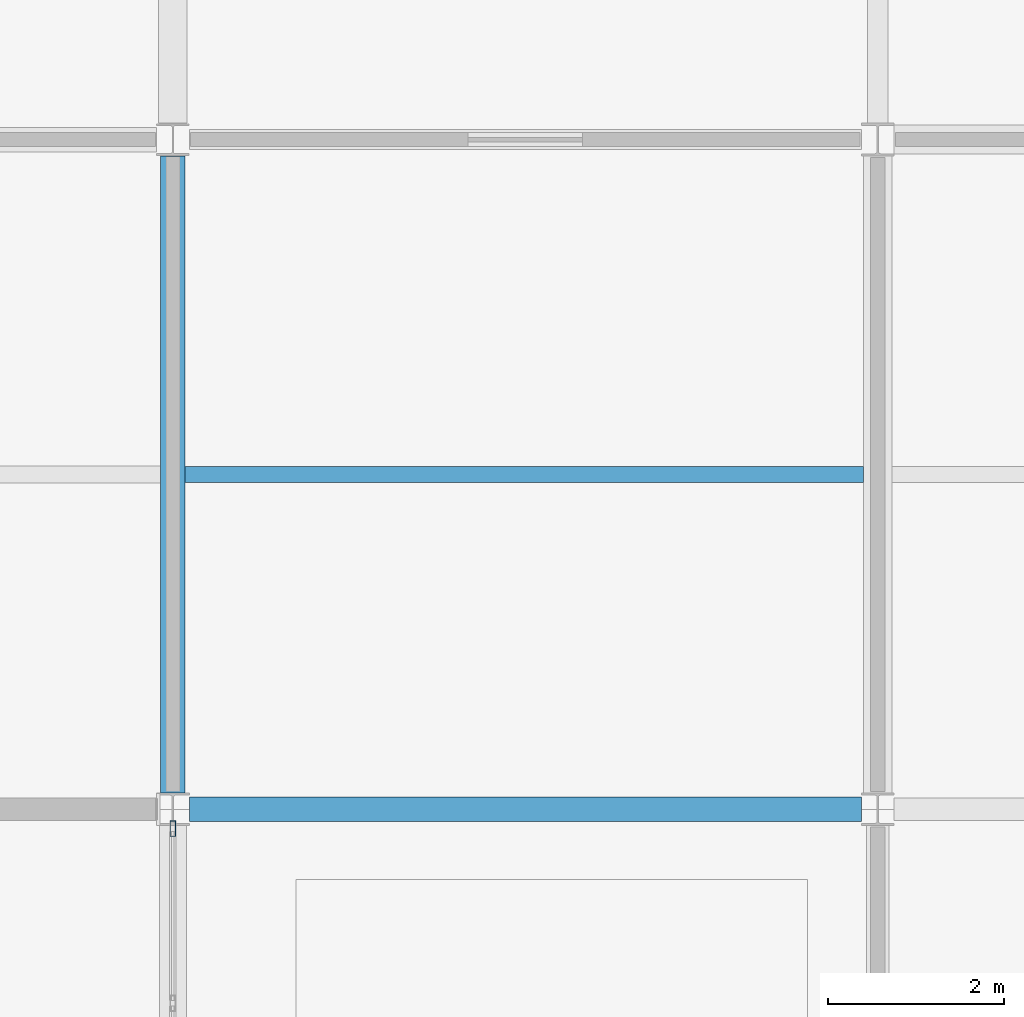
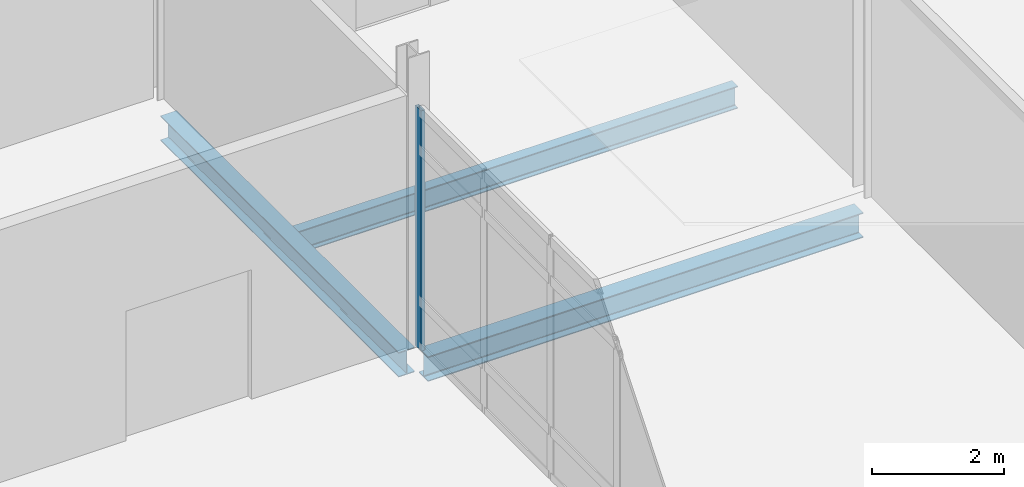
# One storey, part 62 of 229: 3 beams, 1 member, 1 element without a shape of its own.
"""IFC4 building model written with IfcOpenShell, lengths in metres."""

from ifc_helpers import new_model, si_unit, direction, frame, origin, origin_2d, place, context, subcontext, project, spatial, hollow_rectangle, i_section, extrude, material, layer, layer_set, material_profile, profile_set, type_object, element, aggregate, save


model = new_model("IFC4")

# Units and contexts
model_context = context("Model", 3, precision=1e-05, world=origin(), true_north=direction((0.0, 1.0)))
body_context = subcontext(model_context, "Body", "Model", "MODEL_VIEW")
ifc_project = project(units=[si_unit("LENGTHUNIT", "METRE"), si_unit("AREAUNIT", "SQUARE_METRE"), si_unit("VOLUMEUNIT", "CUBIC_METRE"), si_unit("PLANEANGLEUNIT", "RADIAN"), si_unit("MASSUNIT", "GRAM", prefix="KILO")], contexts=[model_context])

# Site, building, storey
site_placement = place(None, origin())
site = spatial("IfcSite", under=ifc_project, at=site_placement, CompositionType="ELEMENT")
building_placement = place(site_placement, origin())
building = spatial("IfcBuilding", under=site, at=building_placement, Name="Calvrana Isthmian Art Gallery", CompositionType="ELEMENT")
storey_placement = place(building_placement, origin())
storey = spatial("IfcBuildingStorey", under=building, at=storey_placement, Name="L00", CompositionType="ELEMENT", Elevation=0.0)

# Beams
ifc_material_1 = material(Name="Steel ASTM A992 Gr 50", Category="steel")
ifc_material_profile_1 = material_profile(ifc_material_1, i_section(OverallWidth=0.279052734375, OverallDepth=0.4619140625, WebThickness=0.0107421875, FlangeThickness=0.017333984375, FilletRadius=0.02001953125, at=origin_2d()), Name="W18X76")
ifc_profile_set_1 = profile_set([ifc_material_profile_1], Name="Steel ASTM A992 Gr 50")
beam_type_1 = type_object("IfcBeamType", Name="BM-G-W18X76", PredefinedType="BEAM", material=ifc_profile_set_1)
beam_1_placement = place(storey_placement, frame((96.58642578125, 46.800048828125, -0.51611328125), z_axis=(1.0, 0.0, 0.0), x_axis=(0.0, 1.0, 0.0)))
element("IfcBeam", 1, at=beam_1_placement, inside=storey, type_object=beam_type_1, Name="Girder X L00 13-14/G", PredefinedType="BEAM", context=body_context, shape_type="SweptSolid", body=[
    extrude(i_section(OverallWidth=0.279052734375, OverallDepth=0.4619140625, WebThickness=0.0107421875, FlangeThickness=0.017333984375, FilletRadius=0.02001953125, at=origin_2d()), origin(), (0.0, 0.0, 1.0), 7.628173828125),
])
beam_2_placement = place(storey_placement, frame((96.39990234375, 46.98388671875, -0.51611328125), z_axis=(0.0, 1.0, 0.0), x_axis=(-1.0, 0.0, 0.0)))
element("IfcBeam", 2, at=beam_2_placement, inside=storey, type_object=beam_type_1, Name="Girder Y L00 13/G-H", PredefinedType="BEAM", context=body_context, shape_type="SweptSolid", body=[
    extrude(i_section(OverallWidth=0.279052734375, OverallDepth=0.4619140625, WebThickness=0.0107421875, FlangeThickness=0.017333984375, FilletRadius=0.02001953125, at=origin_2d()), origin(), (0.0, 0.0, 1.0), 7.2294921875),
])
ifc_material_profile_2 = material_profile(ifc_material_1, i_section(OverallWidth=0.179931640625, OverallDepth=0.4140625, WebThickness=0.009765625, FlangeThickness=0.01611328125, FilletRadius=0.01806640625, at=origin_2d()), Name="W16X50")
ifc_profile_set_2 = profile_set([ifc_material_profile_2], Name="Steel ASTM A992 Gr 50")
beam_type_2 = type_object("IfcBeamType", Name="BM-J-W16X50", PredefinedType="JOIST", material=ifc_profile_set_2)
beam_3_placement = place(storey_placement, frame((96.53955078125, 50.60009765625, -0.491943359375), z_axis=(1.0, 0.0, 0.0), x_axis=(0.0, 1.0, 0.0)))
element("IfcBeam", 3, at=beam_3_placement, inside=storey, type_object=beam_type_2, Name="Composite joist L00 bay 12-06", PredefinedType="JOIST", context=body_context, shape_type="SweptSolid", body=[
    extrude(i_section(OverallWidth=0.179931640625, OverallDepth=0.4140625, WebThickness=0.009765625, FlangeThickness=0.01611328125, FilletRadius=0.01806640625, at=origin_2d()), origin(), (0.0, 0.0, 1.0), 7.697998046875),
])

# Curtain wall, member
ifc_material_2 = material(Name="Anodized bronze aluminium 6063-T6", Category="aluminium")
ifc_layer = layer(ifc_material_2, 0.179931640625, Name="Anodized bronze aluminium 6063-T6")
ifc_layer_set = layer_set([ifc_layer], Name="Anodized bronze aluminium 6063-T6")
curtain_wall_type = type_object("IfcCurtainWallType", Name="CW-STICK-081X44", PredefinedType="NOTDEFINED", material=ifc_layer_set)
curtain_wall_placement = place(storey_placement, origin())
curtain_wall = element("IfcCurtainWall", 4, at=curtain_wall_placement, inside=storey, type_object=curtain_wall_type, Name="Curtain wall CW-074", PredefinedType="NOTDEFINED")
ifc_material_profile_3 = material_profile(ifc_material_2, hollow_rectangle(XDim=0.06494140625, YDim=0.179931640625, WallThickness=0.00439453125, at=origin_2d()), Name="CWM65X180")
ifc_profile_set_3 = profile_set([ifc_material_profile_3], Name="Anodized bronze aluminium 6063-T6")
member_type = type_object("IfcMemberType", Name="CWM-CWM65X180", PredefinedType="MULLION", material=ifc_profile_set_3)
member_placement = place(storey_placement, frame((96.39990234375, 46.5810546875, 0.0), z_axis=(0.0, 0.0, 1.0), x_axis=(-1.0, 0.0, 0.0)))
member = element("IfcMember", 5, at=member_placement, type_object=member_type, Name="CW-074 mullion 5", PredefinedType="MULLION", context=body_context, shape_type="SweptSolid", body=[
    extrude(hollow_rectangle(XDim=0.06494140625, YDim=0.179931640625, WallThickness=0.00439453125, at=origin_2d()), origin(), (0.0, 0.0, 1.0), 4.447021484375),
])
aggregate(curtain_wall, [member])

save(model, "model.ifc")
